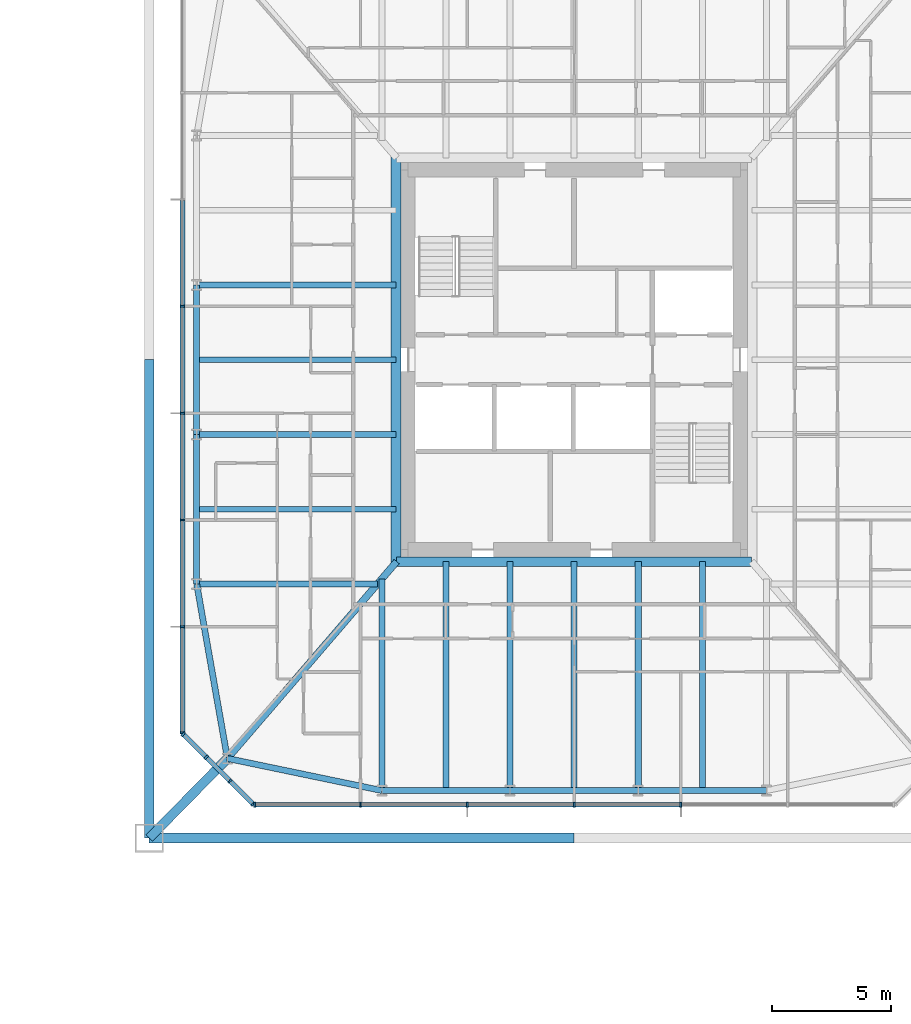
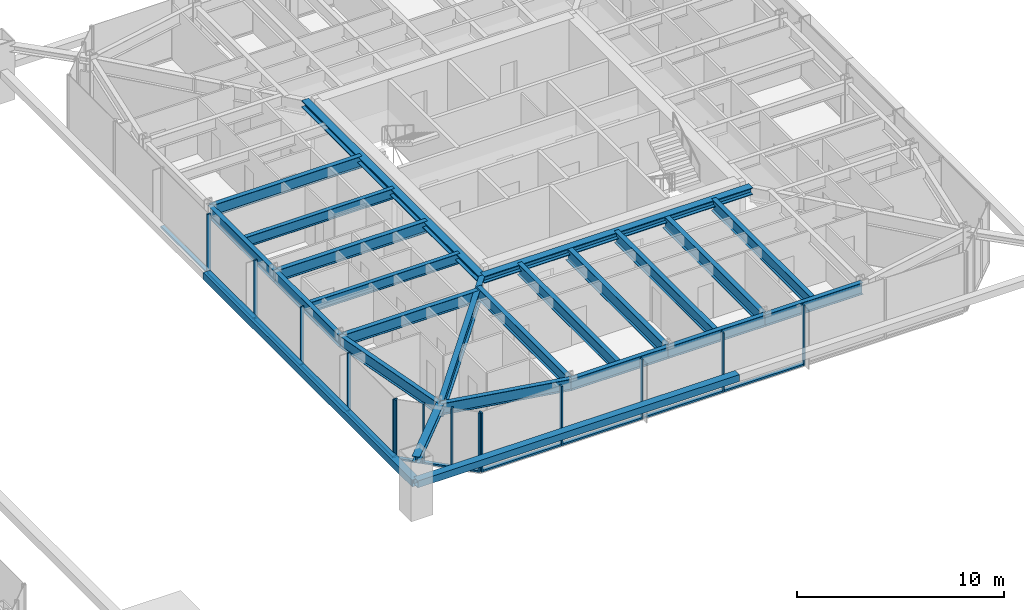
# One storey, part 9 of 27: 29 members, 21 beams, 3 elements without a shape of their own.
"""IFC4 building model written with IfcOpenShell, lengths in metres."""

from ifc_helpers import new_model, si_unit, direction, frame, origin, origin_2d, place, context, subcontext, project, spatial, rectangle, hollow_rectangle, i_section, extrude, material, material_profile, profile_set, type_object, element, aggregate, save


model = new_model("IFC4")

# Units and contexts
model_context = context("Model", 3, precision=1e-05, world=origin(), true_north=direction((0.0, 1.0)))
body_context = subcontext(model_context, "Body", "Model", "MODEL_VIEW")
ifc_project = project(units=[si_unit("LENGTHUNIT", "METRE"), si_unit("AREAUNIT", "SQUARE_METRE"), si_unit("VOLUMEUNIT", "CUBIC_METRE"), si_unit("PLANEANGLEUNIT", "RADIAN"), si_unit("MASSUNIT", "GRAM", prefix="KILO")], contexts=[model_context])

# Site, building, storey
site_placement = place(None, origin())
site = spatial("IfcSite", under=ifc_project, at=site_placement, CompositionType="ELEMENT")
building_placement = place(site_placement, origin())
building = spatial("IfcBuilding", under=site, at=building_placement, Name="Iwan Alto Co-Living Towers", CompositionType="ELEMENT")
storey_placement = place(building_placement, frame((0.0, 0.0, 53.5)))
storey = spatial("IfcBuildingStorey", under=building, at=storey_placement, Name="L14", CompositionType="ELEMENT", Elevation=53.5)

# Curtain wall, members
ifc_material_1 = material(Name="Bronze aluminium unitised frame", Category="aluminium")
curtain_wall_type_1 = type_object("IfcCurtainWallType", Name="CURTAIN WALL CW-C", PredefinedType="NOTDEFINED", material=ifc_material_1)
curtain_wall_1_placement = place(storey_placement, origin())
curtain_wall_1 = element("IfcCurtainWall", 1, at=curtain_wall_1_placement, inside=storey, type_object=curtain_wall_type_1, Name="T2 curtain wall S L14", PredefinedType="NOTDEFINED")
ifc_material_2 = material(Name="Aluminium 6063-T6 bronze anodised", Category="aluminium")
ifc_material_profile_1 = material_profile(ifc_material_2, rectangle(XDim=0.199951171875, YDim=0.080078125, at=origin_2d()), Name="AL 80X200")
ifc_profile_set_1 = profile_set([ifc_material_profile_1], Name="Aluminium 6063-T6 bronze anodised")
member_type_1 = type_object("IfcMemberType", Name="CW-C MULLION 80X200", PredefinedType="MULLION", material=ifc_profile_set_1)
member_1_placement = place(storey_placement, frame((49.5400390625, -18.75, 0.0), z_axis=(0.0, 0.0, 1.0), x_axis=(0.0, 1.0, 0.0)))
member_1 = element("IfcMember", 2, at=member_1_placement, type_object=member_type_1, Name="CW-C mullion 1", PredefinedType="MULLION", context=body_context, shape_type="SweptSolid", body=[
    extrude(rectangle(XDim=0.199951171875, YDim=0.080078125, at=origin_2d()), origin(), (0.0, 0.0, 1.0), 3.5),
])
member_2_placement = place(storey_placement, frame((54.0, -18.75, 0.0), z_axis=(0.0, 0.0, 1.0), x_axis=(0.0, 1.0, 0.0)))
member_2 = element("IfcMember", 3, at=member_2_placement, type_object=member_type_1, Name="CW-C mullion 2", PredefinedType="MULLION", context=body_context, shape_type="SweptSolid", body=[
    extrude(rectangle(XDim=0.199951171875, YDim=0.080078125, at=origin_2d()), origin(), (0.0, 0.0, 1.0), 3.5),
])
member_3_placement = place(storey_placement, frame((58.5, -18.75, 0.0), z_axis=(0.0, 0.0, 1.0), x_axis=(0.0, 1.0, 0.0)))
member_3 = element("IfcMember", 4, at=member_3_placement, type_object=member_type_1, Name="CW-C mullion 3", PredefinedType="MULLION", context=body_context, shape_type="SweptSolid", body=[
    extrude(rectangle(XDim=0.199951171875, YDim=0.080078125, at=origin_2d()), origin(), (0.0, 0.0, 1.0), 3.5),
])
member_4_placement = place(storey_placement, frame((63.0, -18.75, 0.0), z_axis=(0.0, 0.0, 1.0), x_axis=(0.0, 1.0, 0.0)))
member_4 = element("IfcMember", 5, at=member_4_placement, type_object=member_type_1, Name="CW-C mullion 4", PredefinedType="MULLION", context=body_context, shape_type="SweptSolid", body=[
    extrude(rectangle(XDim=0.199951171875, YDim=0.080078125, at=origin_2d()), origin(), (0.0, 0.0, 1.0), 3.5),
])
member_5_placement = place(storey_placement, frame((67.5, -18.75, 0.0), z_axis=(0.0, 0.0, 1.0), x_axis=(0.0, 1.0, 0.0)))
member_5 = element("IfcMember", 6, at=member_5_placement, type_object=member_type_1, Name="CW-C mullion 5", PredefinedType="MULLION", context=body_context, shape_type="SweptSolid", body=[
    extrude(rectangle(XDim=0.199951171875, YDim=0.080078125, at=origin_2d()), origin(), (0.0, 0.0, 1.0), 3.5),
])

curtain_wall_2_placement = place(storey_placement, origin())
curtain_wall_2 = element("IfcCurtainWall", 7, at=curtain_wall_2_placement, inside=storey, type_object=curtain_wall_type_1, Name="T2 curtain wall W L14", PredefinedType="NOTDEFINED")
member_6_placement = place(storey_placement, frame((46.5, 2.25, 0.0), z_axis=(0.0, 0.0, 1.0), x_axis=(1.0, 0.0, 0.0)))
member_6 = element("IfcMember", 8, at=member_6_placement, type_object=member_type_1, Name="CW-C mullion 4", PredefinedType="MULLION", context=body_context, shape_type="SweptSolid", body=[
    extrude(rectangle(XDim=0.199951171875, YDim=0.080078125, at=origin_2d()), origin(), (0.0, 0.0, 1.0), 3.5),
])
member_7_placement = place(storey_placement, frame((46.5, -2.25, 0.0), z_axis=(0.0, 0.0, 1.0), x_axis=(1.0, 0.0, 0.0)))
member_7 = element("IfcMember", 9, at=member_7_placement, type_object=member_type_1, Name="CW-C mullion 5", PredefinedType="MULLION", context=body_context, shape_type="SweptSolid", body=[
    extrude(rectangle(XDim=0.199951171875, YDim=0.080078125, at=origin_2d()), origin(), (0.0, 0.0, 1.0), 3.5),
])
member_8_placement = place(storey_placement, frame((46.5, -6.75, 0.0), z_axis=(0.0, 0.0, 1.0), x_axis=(1.0, 0.0, 0.0)))
member_8 = element("IfcMember", 10, at=member_8_placement, type_object=member_type_1, Name="CW-C mullion 6", PredefinedType="MULLION", context=body_context, shape_type="SweptSolid", body=[
    extrude(rectangle(XDim=0.199951171875, YDim=0.080078125, at=origin_2d()), origin(), (0.0, 0.0, 1.0), 3.5),
])
member_9_placement = place(storey_placement, frame((46.5, -11.25, 0.0), z_axis=(0.0, 0.0, 1.0), x_axis=(1.0, 0.0, 0.0)))
member_9 = element("IfcMember", 11, at=member_9_placement, type_object=member_type_1, Name="CW-C mullion 7", PredefinedType="MULLION", context=body_context, shape_type="SweptSolid", body=[
    extrude(rectangle(XDim=0.199951171875, YDim=0.080078125, at=origin_2d()), origin(), (0.0, 0.0, 1.0), 3.5),
])
member_10_placement = place(storey_placement, frame((46.5, -15.7099609375, 0.0), z_axis=(0.0, 0.0, 1.0), x_axis=(1.0, 0.0, 0.0)))
member_10 = element("IfcMember", 12, at=member_10_placement, type_object=member_type_1, Name="CW-C mullion 8", PredefinedType="MULLION", context=body_context, shape_type="SweptSolid", body=[
    extrude(rectangle(XDim=0.199951171875, YDim=0.080078125, at=origin_2d()), origin(), (0.0, 0.0, 1.0), 3.5),
])

# Member
ifc_material_3 = material(Name="Aluminium 6063-T6 bronze anodised", Category="aluminium")
ifc_material_profile_2 = material_profile(ifc_material_3, rectangle(XDim=0.199951171875, YDim=0.10009765625, at=origin_2d()), Name="AL 200X100")
ifc_profile_set_2 = profile_set([ifc_material_profile_2], Name="Aluminium 6063-T6 bronze anodised")
member_type_2 = type_object("IfcMemberType", Name="CW-C TRANSOM 200X100", PredefinedType="USERDEFINED", material=ifc_profile_set_2)
member_11_placement = place(storey_placement, frame((49.580078125, -18.75, 0.050048828125), z_axis=(1.0, 0.0, 0.0), x_axis=(0.0, 1.0, 0.0)))
member_11 = element("IfcMember", 13, at=member_11_placement, type_object=member_type_2, Name="CW-C transom 1.1", ObjectType="TRANSOM", PredefinedType="USERDEFINED", context=body_context, shape_type="SweptSolid", body=[
    extrude(rectangle(XDim=0.199951171875, YDim=0.10009765625, at=origin_2d()), origin(), (0.0, 0.0, 1.0), 4.3798828125),
])

member_12_placement = place(storey_placement, frame((54.0400390625, -18.75, 0.050048828125), z_axis=(1.0, 0.0, 0.0), x_axis=(0.0, 1.0, 0.0)))
member_12 = element("IfcMember", 14, at=member_12_placement, type_object=member_type_2, Name="CW-C transom 2.1", ObjectType="TRANSOM", PredefinedType="USERDEFINED", context=body_context, shape_type="SweptSolid", body=[
    extrude(rectangle(XDim=0.199951171875, YDim=0.10009765625, at=origin_2d()), origin(), (0.0, 0.0, 1.0), 4.419921875),
])

member_13_placement = place(storey_placement, frame((58.5400390625, -18.75, 0.050048828125), z_axis=(1.0, 0.0, 0.0), x_axis=(0.0, 1.0, 0.0)))
member_13 = element("IfcMember", 15, at=member_13_placement, type_object=member_type_2, Name="CW-C transom 3.1", ObjectType="TRANSOM", PredefinedType="USERDEFINED", context=body_context, shape_type="SweptSolid", body=[
    extrude(rectangle(XDim=0.199951171875, YDim=0.10009765625, at=origin_2d()), origin(), (0.0, 0.0, 1.0), 4.419921875),
])

member_14_placement = place(storey_placement, frame((63.0400390625, -18.75, 0.050048828125), z_axis=(1.0, 0.0, 0.0), x_axis=(0.0, 1.0, 0.0)))
member_14 = element("IfcMember", 16, at=member_14_placement, type_object=member_type_2, Name="CW-C transom 4.1", ObjectType="TRANSOM", PredefinedType="USERDEFINED", context=body_context, shape_type="SweptSolid", body=[
    extrude(rectangle(XDim=0.199951171875, YDim=0.10009765625, at=origin_2d()), origin(), (0.0, 0.0, 1.0), 4.419921875),
])

aggregate(curtain_wall_1, [member_1, member_2, member_3, member_4, member_5, member_11, member_12, member_13, member_14])

member_15_placement = place(storey_placement, frame((46.5, 6.7099609375, 0.050048828125), z_axis=(0.0, -1.0, 0.0), x_axis=(1.0, 0.0, 0.0)))
member_15 = element("IfcMember", 17, at=member_15_placement, type_object=member_type_2, Name="CW-C transom 3.1", ObjectType="TRANSOM", PredefinedType="USERDEFINED", context=body_context, shape_type="SweptSolid", body=[
    extrude(rectangle(XDim=0.199951171875, YDim=0.10009765625, at=origin_2d()), origin(), (0.0, 0.0, 1.0), 4.419921875),
])

member_16_placement = place(storey_placement, frame((46.5, 2.2099609375, 0.050048828125), z_axis=(0.0, -1.0, 0.0), x_axis=(1.0, 0.0, 0.0)))
member_16 = element("IfcMember", 18, at=member_16_placement, type_object=member_type_2, Name="CW-C transom 4.1", ObjectType="TRANSOM", PredefinedType="USERDEFINED", context=body_context, shape_type="SweptSolid", body=[
    extrude(rectangle(XDim=0.199951171875, YDim=0.10009765625, at=origin_2d()), origin(), (0.0, 0.0, 1.0), 4.419921875),
])

member_17_placement = place(storey_placement, frame((46.5, -2.2900390625, 0.050048828125), z_axis=(0.0, -1.0, 0.0), x_axis=(1.0, 0.0, 0.0)))
member_17 = element("IfcMember", 19, at=member_17_placement, type_object=member_type_2, Name="CW-C transom 5.1", ObjectType="TRANSOM", PredefinedType="USERDEFINED", context=body_context, shape_type="SweptSolid", body=[
    extrude(rectangle(XDim=0.199951171875, YDim=0.10009765625, at=origin_2d()), origin(), (0.0, 0.0, 1.0), 4.419921875),
])

member_18_placement = place(storey_placement, frame((46.5, -6.7900390625, 0.050048828125), z_axis=(0.0, -1.0, 0.0), x_axis=(1.0, 0.0, 0.0)))
member_18 = element("IfcMember", 20, at=member_18_placement, type_object=member_type_2, Name="CW-C transom 6.1", ObjectType="TRANSOM", PredefinedType="USERDEFINED", context=body_context, shape_type="SweptSolid", body=[
    extrude(rectangle(XDim=0.199951171875, YDim=0.10009765625, at=origin_2d()), origin(), (0.0, 0.0, 1.0), 4.419921875),
])

member_19_placement = place(storey_placement, frame((46.5, -11.2900390625, 0.050048828125), z_axis=(0.0, -1.0, 0.0), x_axis=(1.0, 0.0, 0.0)))
member_19 = element("IfcMember", 21, at=member_19_placement, type_object=member_type_2, Name="CW-C transom 7.1", ObjectType="TRANSOM", PredefinedType="USERDEFINED", context=body_context, shape_type="SweptSolid", body=[
    extrude(rectangle(XDim=0.199951171875, YDim=0.10009765625, at=origin_2d()), origin(), (0.0, 0.0, 1.0), 4.3798828125),
])

aggregate(curtain_wall_2, [member_6, member_7, member_8, member_9, member_10, member_15, member_16, member_17, member_18, member_19])

# Curtain wall, members
ifc_material_4 = material(Name="Bronze aluminium unitised frame", Category="aluminium")
curtain_wall_type_2 = type_object("IfcCurtainWallType", Name="CURTAIN WALL CW-D", PredefinedType="NOTDEFINED", material=ifc_material_4)
curtain_wall_3_placement = place(storey_placement, origin())
curtain_wall_3 = element("IfcCurtainWall", 22, at=curtain_wall_3_placement, inside=storey, type_object=curtain_wall_type_2, Name="T2 chamfer curtain wall SW L14", PredefinedType="NOTDEFINED")
ifc_material_5 = material(Name="Aluminium 6063-T6 bronze anodised", Category="aluminium")
ifc_material_profile_3 = material_profile(ifc_material_5, rectangle(XDim=0.199951171875, YDim=0.080078125, at=origin_2d()), Name="AL 80X200")
ifc_profile_set_3 = profile_set([ifc_material_profile_3], Name="Aluminium 6063-T6 bronze anodised")
member_type_3 = type_object("IfcMemberType", Name="CW-D MULLION 80X200", PredefinedType="MULLION", material=ifc_profile_set_3)
member_20_placement = place(storey_placement, frame((46.5283203125, -15.7783203125, 0.0), z_axis=(0.0, 0.0, 1.0), x_axis=(0.707106781187, 0.707106781187, 0.0)))
member_20 = element("IfcMember", 23, at=member_20_placement, type_object=member_type_3, Name="CW-D mullion 1", PredefinedType="MULLION", context=body_context, shape_type="SweptSolid", body=[
    extrude(rectangle(XDim=0.199951171875, YDim=0.080078125, at=origin_2d()), origin(), (0.0, 0.0, 1.0), 3.5),
])
member_21_placement = place(storey_placement, frame((47.5, -16.75, 0.0), z_axis=(0.0, 0.0, 1.0), x_axis=(0.707106781187, 0.707106781187, 0.0)))
member_21 = element("IfcMember", 24, at=member_21_placement, type_object=member_type_3, Name="CW-D mullion 2", PredefinedType="MULLION", context=body_context, shape_type="SweptSolid", body=[
    extrude(rectangle(XDim=0.199951171875, YDim=0.080078125, at=origin_2d()), origin(), (0.0, 0.0, 1.0), 3.5),
])
member_22_placement = place(storey_placement, frame((48.5, -17.75, 0.0), z_axis=(0.0, 0.0, 1.0), x_axis=(0.707106781187, 0.707106781187, 0.0)))
member_22 = element("IfcMember", 25, at=member_22_placement, type_object=member_type_3, Name="CW-D mullion 3", PredefinedType="MULLION", context=body_context, shape_type="SweptSolid", body=[
    extrude(rectangle(XDim=0.199951171875, YDim=0.080078125, at=origin_2d()), origin(), (0.0, 0.0, 1.0), 3.5),
])
member_23_placement = place(storey_placement, frame((49.4716796875, -18.7216796875, 0.0), z_axis=(0.0, 0.0, 1.0), x_axis=(0.707106781187, 0.707106781187, 0.0)))
member_23 = element("IfcMember", 26, at=member_23_placement, type_object=member_type_3, Name="CW-D mullion 4", PredefinedType="MULLION", context=body_context, shape_type="SweptSolid", body=[
    extrude(rectangle(XDim=0.199951171875, YDim=0.080078125, at=origin_2d()), origin(), (0.0, 0.0, 1.0), 3.5),
])
ifc_material_6 = material(Name="Aluminium 6063-T6 bronze anodised", Category="aluminium")
ifc_material_profile_4 = material_profile(ifc_material_6, rectangle(XDim=0.199951171875, YDim=0.10009765625, at=origin_2d()), Name="AL 200X100")
ifc_profile_set_4 = profile_set([ifc_material_profile_4], Name="Aluminium 6063-T6 bronze anodised")
member_type_4 = type_object("IfcMemberType", Name="CW-D TRANSOM 200X100", PredefinedType="USERDEFINED", material=ifc_profile_set_4)
member_24_placement = place(storey_placement, frame((46.556640625, -15.806640625, 0.050048828125), z_axis=(0.707106781187, -0.707106781187, 0.0), x_axis=(0.707106781187, 0.707106781187, 0.0)))
member_24 = element("IfcMember", 27, at=member_24_placement, type_object=member_type_4, Name="CW-D transom 1.1", ObjectType="TRANSOM", PredefinedType="USERDEFINED", context=body_context, shape_type="SweptSolid", body=[
    extrude(rectangle(XDim=0.199951171875, YDim=0.10009765625, at=origin_2d()), origin(), (0.0, 0.0, 1.0), 1.2939453125),
])
member_25_placement = place(storey_placement, frame((47.5283203125, -16.7783203125, 0.050048828125), z_axis=(0.707106781187, -0.707106781187, 0.0), x_axis=(0.707106781187, 0.707106781187, 0.0)))
member_25 = element("IfcMember", 28, at=member_25_placement, type_object=member_type_4, Name="CW-D transom 2.1", ObjectType="TRANSOM", PredefinedType="USERDEFINED", context=body_context, shape_type="SweptSolid", body=[
    extrude(rectangle(XDim=0.199951171875, YDim=0.10009765625, at=origin_2d()), origin(), (0.0, 0.0, 1.0), 1.334228515625),
])
member_26_placement = place(storey_placement, frame((48.5283203125, -17.7783203125, 0.050048828125), z_axis=(0.707106781187, -0.707106781187, 0.0), x_axis=(0.707106781187, 0.707106781187, 0.0)))
member_26 = element("IfcMember", 29, at=member_26_placement, type_object=member_type_4, Name="CW-D transom 3.1", ObjectType="TRANSOM", PredefinedType="USERDEFINED", context=body_context, shape_type="SweptSolid", body=[
    extrude(rectangle(XDim=0.199951171875, YDim=0.10009765625, at=origin_2d()), origin(), (0.0, 0.0, 1.0), 1.2939453125),
])
aggregate(curtain_wall_3, [member_20, member_21, member_22, member_23, member_24, member_25, member_26])

# Beams
ifc_material_7 = material(Name="Steel ASTM A992 Gr 50", Category="steel")
ifc_material_profile_5 = material_profile(ifc_material_7, i_section(OverallWidth=0.40380859375, OverallDepth=0.406494140625, WebThickness=0.027099609375, FlangeThickness=0.043701171875, at=origin_2d()), Name="W14X233")
ifc_profile_set_5 = profile_set([ifc_material_profile_5], Name="Steel ASTM A992 Gr 50")
beam_type_1 = type_object("IfcBeamType", Name="T2 CORE LEDGER BEAM W14X233", PredefinedType="BEAM", material=ifc_profile_set_5)
beam_1_placement = place(storey_placement, frame((55.5263671875, -8.501953125, 3.06689453125), z_axis=(1.0, 0.0, 0.0), x_axis=(0.0, 1.0, 0.0)))
element("IfcBeam", 30, at=beam_1_placement, inside=storey, type_object=beam_type_1, Name="T2 core ledger beam S L15", PredefinedType="BEAM", context=body_context, shape_type="SweptSolid", body=[
    extrude(i_section(OverallWidth=0.40380859375, OverallDepth=0.406494140625, WebThickness=0.027099609375, FlangeThickness=0.043701171875, at=origin_2d()), origin(), (0.0, 0.0, 1.0), 14.947265625),
])
beam_2_placement = place(storey_placement, frame((55.498046875, 8.534912109375, 3.06689453125), z_axis=(0.0, -1.0, 0.0), x_axis=(1.0, 0.0, 0.0)))
element("IfcBeam", 31, at=beam_2_placement, inside=storey, type_object=beam_type_1, Name="T2 core ledger beam W L15", PredefinedType="BEAM", context=body_context, shape_type="SweptSolid", body=[
    extrude(i_section(OverallWidth=0.40380859375, OverallDepth=0.406494140625, WebThickness=0.027099609375, FlangeThickness=0.043701171875, at=origin_2d()), origin(), (0.0, 0.0, 1.0), 17.06982421875),
])
ifc_material_8 = material(Name="Steel ASTM A992 Gr 50", Category="steel")
ifc_material_profile_6 = material_profile(ifc_material_8, i_section(OverallWidth=0.2919921875, OverallDepth=0.8408203125, WebThickness=0.0146484375, FlangeThickness=0.021728515625, at=origin_2d()), Name="W33X130")
ifc_profile_set_6 = profile_set([ifc_material_profile_6], Name="Steel ASTM A992 Gr 50")
beam_type_2 = type_object("IfcBeamType", Name="T2 CORNER GIRDER W33X130", PredefinedType="BEAM", material=ifc_profile_set_6)
beam_3_placement = place(storey_placement, frame((48.393798828125, -16.797119140625, 2.849609375), z_axis=(0.651972301827, 0.758242782788, 0.0), x_axis=(-0.758242782788, 0.651972301827, 0.0)))
element("IfcBeam", 32, at=beam_3_placement, inside=storey, type_object=beam_type_2, Name="T2 corner girder CSW L15", PredefinedType="BEAM", context=body_context, shape_type="SweptSolid", body=[
    extrude(i_section(OverallWidth=0.2919921875, OverallDepth=0.8408203125, WebThickness=0.0146484375, FlangeThickness=0.021728515625, at=origin_2d()), origin(), (0.0, 0.0, 1.0), 10.93994140625),
])
ifc_material_9 = material(Name="Steel ASTM A992 Gr 50", Category="steel")
ifc_material_profile_7 = material_profile(ifc_material_9, i_section(OverallWidth=0.25390625, OverallDepth=0.683349609375, WebThickness=0.012451171875, FlangeThickness=0.018798828125, at=origin_2d()), Name="W27X94")
ifc_profile_set_7 = profile_set([ifc_material_profile_7], Name="Steel ASTM A992 Gr 50")
beam_type_3 = type_object("IfcBeamType", Name="T2 EDGE BEAM W27X94", PredefinedType="BEAM", material=ifc_profile_set_7)
beam_4_placement = place(storey_placement, frame((48.393798828125, -16.797119140625, 2.928466796875), z_axis=(0.979060119423, -0.203571320564, 0.0), x_axis=(0.203571320564, 0.979060119423, 0.0)))
element("IfcBeam", 33, at=beam_4_placement, inside=storey, type_object=beam_type_3, Name="T2 edge beam CSW L15", PredefinedType="BEAM", context=body_context, shape_type="SweptSolid", body=[
    extrude(i_section(OverallWidth=0.25390625, OverallDepth=0.683349609375, WebThickness=0.012451171875, FlangeThickness=0.018798828125, at=origin_2d()), origin(), (0.0, 0.0, 1.0), 6.645263671875),
])
beam_5_placement = place(storey_placement, frame((54.89990234375, -18.14990234375, 2.928466796875), z_axis=(1.0, 0.0, 0.0), x_axis=(0.0, 1.0, 0.0)))
element("IfcBeam", 34, at=beam_5_placement, inside=storey, type_object=beam_type_3, Name="T2 edge beam S1 L15", PredefinedType="BEAM", context=body_context, shape_type="SweptSolid", body=[
    extrude(i_section(OverallWidth=0.25390625, OverallDepth=0.683349609375, WebThickness=0.012451171875, FlangeThickness=0.018798828125, at=origin_2d()), origin(), (0.0, 0.0, 1.0), 5.400146484375),
])
beam_6_placement = place(storey_placement, frame((60.300048828125, -18.14990234375, 2.928466796875), z_axis=(1.0, 0.0, 0.0), x_axis=(0.0, 1.0, 0.0)))
element("IfcBeam", 35, at=beam_6_placement, inside=storey, type_object=beam_type_3, Name="T2 edge beam S2 L15", PredefinedType="BEAM", context=body_context, shape_type="SweptSolid", body=[
    extrude(i_section(OverallWidth=0.25390625, OverallDepth=0.683349609375, WebThickness=0.012451171875, FlangeThickness=0.018798828125, at=origin_2d()), origin(), (0.0, 0.0, 1.0), 5.39990234375),
])
beam_7_placement = place(storey_placement, frame((65.699951171875, -18.14990234375, 2.928466796875), z_axis=(1.0, 0.0, 0.0), x_axis=(0.0, 1.0, 0.0)))
element("IfcBeam", 36, at=beam_7_placement, inside=storey, type_object=beam_type_3, Name="T2 edge beam S3 L15", PredefinedType="BEAM", context=body_context, shape_type="SweptSolid", body=[
    extrude(i_section(OverallWidth=0.25390625, OverallDepth=0.683349609375, WebThickness=0.012451171875, FlangeThickness=0.018798828125, at=origin_2d()), origin(), (0.0, 0.0, 1.0), 5.400146484375),
])
beam_8_placement = place(storey_placement, frame((47.10009765625, 3.14990234375, 2.928466796875), z_axis=(0.0, -1.0, 0.0), x_axis=(1.0, 0.0, 0.0)))
element("IfcBeam", 37, at=beam_8_placement, inside=storey, type_object=beam_type_3, Name="T2 edge beam W2 L15", PredefinedType="BEAM", context=body_context, shape_type="SweptSolid", body=[
    extrude(i_section(OverallWidth=0.25390625, OverallDepth=0.683349609375, WebThickness=0.012451171875, FlangeThickness=0.018798828125, at=origin_2d()), origin(), (0.0, 0.0, 1.0), 6.2998046875),
])
beam_9_placement = place(storey_placement, frame((47.10009765625, -3.14990234375, 2.928466796875), z_axis=(0.0, -1.0, 0.0), x_axis=(1.0, 0.0, 0.0)))
element("IfcBeam", 38, at=beam_9_placement, inside=storey, type_object=beam_type_3, Name="T2 edge beam W3 L15", PredefinedType="BEAM", context=body_context, shape_type="SweptSolid", body=[
    extrude(i_section(OverallWidth=0.25390625, OverallDepth=0.683349609375, WebThickness=0.012451171875, FlangeThickness=0.018798828125, at=origin_2d()), origin(), (0.0, 0.0, 1.0), 6.300048828125),
])
beam_10_placement = place(storey_placement, frame((47.10009765625, -9.449951171875, 2.928466796875), z_axis=(0.173413807283, -0.98484905008, 0.0), x_axis=(0.98484905008, 0.173413807283, 0.0)))
element("IfcBeam", 39, at=beam_10_placement, inside=storey, type_object=beam_type_3, Name="T2 edge beam W4 L15", PredefinedType="BEAM", context=body_context, shape_type="SweptSolid", body=[
    extrude(i_section(OverallWidth=0.25390625, OverallDepth=0.683349609375, WebThickness=0.012451171875, FlangeThickness=0.018798828125, at=origin_2d()), origin(), (0.0, 0.0, 1.0), 7.460205078125),
])

# Members
ifc_material_10 = material(Name="Steel ASTM A992 Gr 50", Category="steel")
ifc_material_profile_8 = material_profile(ifc_material_10, i_section(OverallWidth=0.393798828125, OverallDepth=0.3759765625, WebThickness=0.017333984375, FlangeThickness=0.027587890625, at=origin_2d()), Name="W14X145")
ifc_profile_set_8 = profile_set([ifc_material_profile_8], Name="Steel ASTM A992 Gr 50")
member_type_5 = type_object("IfcMemberType", Name="T2 MEGA COLUMN FLOOR TIE W14X145", PredefinedType="STRUT", material=ifc_profile_set_8)
member_27_placement = place(storey_placement, frame((45.10009765625, -20.14990234375, 3.08203125), z_axis=(0.700793469544, 0.71336422187, 0.0), x_axis=(-0.71336422187, 0.700793469544, 0.0)))
element("IfcMember", 40, at=member_27_placement, inside=storey, type_object=member_type_5, Name="T2 mega column floor tie SW L15", PredefinedType="STRUT", context=body_context, shape_type="SweptSolid", body=[
    extrude(i_section(OverallWidth=0.393798828125, OverallDepth=0.3759765625, WebThickness=0.017333984375, FlangeThickness=0.027587890625, at=origin_2d()), origin(), (0.0, 0.0, 1.0), 4.699951171875),
])
ifc_material_11 = material(Name="Steel ASTM A500 Gr C", Category="steel")
ifc_material_profile_9 = material_profile(ifc_material_11, hollow_rectangle(XDim=0.406494140625, YDim=0.406494140625, WallThickness=0.0146484375, at=origin_2d()), Name="HSS16X16X5/8")
ifc_profile_set_9 = profile_set([ifc_material_profile_9], Name="Steel ASTM A500 Gr C")
member_type_6 = type_object("IfcMemberType", Name="T2 MEGA TIE HSS16X16X5/8", PredefinedType="STRUT", material=ifc_profile_set_9)
member_28_placement = place(storey_placement, frame((45.10009765625, -20.14990234375, 1.75), z_axis=(1.0, 0.0, 0.0), x_axis=(0.0, 1.0, 0.0)))
element("IfcMember", 41, at=member_28_placement, inside=storey, type_object=member_type_6, Name="T2 mega tie Z1B S 1", PredefinedType="STRUT", context=body_context, shape_type="SweptSolid", body=[
    extrude(hollow_rectangle(XDim=0.406494140625, YDim=0.406494140625, WallThickness=0.0146484375, at=origin_2d()), origin(), (0.0, 0.0, 1.0), 17.89990234375),
])
member_29_placement = place(storey_placement, frame((45.10009765625, 0.0, 1.75), z_axis=(0.0, -1.0, 0.0), x_axis=(1.0, 0.0, 0.0)))
element("IfcMember", 42, at=member_29_placement, inside=storey, type_object=member_type_6, Name="T2 mega tie Z1B W 2", PredefinedType="STRUT", context=body_context, shape_type="SweptSolid", body=[
    extrude(hollow_rectangle(XDim=0.406494140625, YDim=0.406494140625, WallThickness=0.0146484375, at=origin_2d()), origin(), (0.0, 0.0, 1.0), 20.14990234375),
])

# Beams
ifc_material_12 = material(Name="Steel ASTM A992 Gr 50", Category="steel")
ifc_material_profile_10 = material_profile(ifc_material_12, i_section(OverallWidth=0.25390625, OverallDepth=0.683349609375, WebThickness=0.012451171875, FlangeThickness=0.018798828125, at=origin_2d()), Name="W27X94")
ifc_profile_set_10 = profile_set([ifc_material_profile_10], Name="Steel ASTM A992 Gr 50")
beam_type_4 = type_object("IfcBeamType", Name="T2 RADIAL BEAM W27X94", PredefinedType="BEAM", material=ifc_profile_set_10)
beam_11_placement = place(storey_placement, frame((54.89990234375, -18.14990234375, 2.928466796875), z_axis=(0.0, 1.0, 0.0), x_axis=(-1.0, 0.0, 0.0)))
element("IfcBeam", 43, at=beam_11_placement, inside=storey, type_object=beam_type_4, Name="T2 radial beam S1 L15", PredefinedType="BEAM", context=body_context, shape_type="SweptSolid", body=[
    extrude(i_section(OverallWidth=0.25390625, OverallDepth=0.683349609375, WebThickness=0.012451171875, FlangeThickness=0.018798828125, at=origin_2d()), origin(), (0.0, 0.0, 1.0), 8.91943359375),
])
for number, where, z_axis, x_axis, name in (
    (44, (47.10009765625, 3.14990234375, 2.928466796875), (1.0, 0.0, 0.0), (0.0, 1.0, 0.0), "T2 radial beam W2 L15"),
    (45, (47.10009765625, -3.14990234375, 2.928466796875), (1.0, 0.0, 0.0), (0.0, 1.0, 0.0), "T2 radial beam W3 L15"),
):
    element("IfcBeam", number, at=place(storey_placement, frame(where, z_axis=z_axis, x_axis=x_axis)), inside=storey, type_object=beam_type_4, Name=name, PredefinedType="BEAM", context=body_context, shape_type="SweptSolid", body=[
        extrude(i_section(OverallWidth=0.25390625, OverallDepth=0.683349609375, WebThickness=0.012451171875, FlangeThickness=0.018798828125, at=origin_2d()), origin(), (0.0, 0.0, 1.0), 8.39794921875),
    ])
beam_12_placement = place(storey_placement, frame((47.10009765625, -9.449951171875, 2.928466796875), z_axis=(1.0, 0.0, 0.0), x_axis=(0.0, 1.0, 0.0)))
element("IfcBeam", 46, at=beam_12_placement, inside=storey, type_object=beam_type_4, Name="T2 radial beam W4 L15", PredefinedType="BEAM", context=body_context, shape_type="SweptSolid", body=[
    extrude(i_section(OverallWidth=0.25390625, OverallDepth=0.683349609375, WebThickness=0.012451171875, FlangeThickness=0.018798828125, at=origin_2d()), origin(), (0.0, 0.0, 1.0), 7.611083984375),
])
ifc_material_13 = material(Name="Steel ASTM A992 Gr 50", Category="steel")
ifc_material_profile_11 = material_profile(ifc_material_13, i_section(OverallWidth=0.2666015625, OverallDepth=0.761962890625, WebThickness=0.014404296875, FlangeThickness=0.021484375, at=origin_2d()), Name="W30X116")
ifc_profile_set_11 = profile_set([ifc_material_profile_11], Name="Steel ASTM A992 Gr 50")
beam_type_5 = type_object("IfcBeamType", Name="T2 RADIAL BEAM W30X116", PredefinedType="BEAM", material=ifc_profile_set_11)
for number, where, z_axis, x_axis, name in (
    (47, (60.300048828125, -18.14990234375, 2.888916015625), (0.0, 1.0, 0.0), (-1.0, 0.0, 0.0), "T2 radial beam S2 L15"),
    (48, (65.699951171875, -18.14990234375, 2.888916015625), (0.0, 1.0, 0.0), (-1.0, 0.0, 0.0), "T2 radial beam S3 L15"),
):
    element("IfcBeam", number, at=place(storey_placement, frame(where, z_axis=z_axis, x_axis=x_axis)), inside=storey, type_object=beam_type_5, Name=name, PredefinedType="BEAM", context=body_context, shape_type="SweptSolid", body=[
        extrude(i_section(OverallWidth=0.2666015625, OverallDepth=0.761962890625, WebThickness=0.014404296875, FlangeThickness=0.021484375, at=origin_2d()), origin(), (0.0, 0.0, 1.0), 9.64794921875),
    ])
ifc_material_14 = material(Name="Steel ASTM A992 Gr 50", Category="steel")
ifc_material_profile_12 = material_profile(ifc_material_14, i_section(OverallWidth=0.228271484375, OverallDepth=0.607177734375, WebThickness=0.01123046875, FlangeThickness=0.017333984375, at=origin_2d()), Name="W24X76")
ifc_profile_set_12 = profile_set([ifc_material_profile_12], Name="Steel ASTM A992 Gr 50")
beam_type_6 = type_object("IfcBeamType", Name="T2 SECONDARY BEAM W24X76", PredefinedType="JOIST", material=ifc_profile_set_12)
for number, where, z_axis, x_axis, name in (
    (49, (47.10009765625, 0.0, 2.966552734375), (1.0, 0.0, 0.0), (0.0, 1.0, 0.0), "T2 secondary beam W2 L15"),
    (50, (47.10009765625, -6.300048828125, 2.966552734375), (1.0, 0.0, 0.0), (0.0, 1.0, 0.0), "T2 secondary beam W3 L15"),
):
    element("IfcBeam", number, at=place(storey_placement, frame(where, z_axis=z_axis, x_axis=x_axis)), inside=storey, type_object=beam_type_6, Name=name, PredefinedType="JOIST", context=body_context, shape_type="SweptSolid", body=[
        extrude(i_section(OverallWidth=0.228271484375, OverallDepth=0.607177734375, WebThickness=0.01123046875, FlangeThickness=0.017333984375, at=origin_2d()), origin(), (0.0, 0.0, 1.0), 8.39794921875),
    ])
ifc_material_15 = material(Name="Steel ASTM A992 Gr 50", Category="steel")
ifc_material_profile_13 = material_profile(ifc_material_15, i_section(OverallWidth=0.25390625, OverallDepth=0.683349609375, WebThickness=0.012451171875, FlangeThickness=0.018798828125, at=origin_2d()), Name="W27X94")
ifc_profile_set_13 = profile_set([ifc_material_profile_13], Name="Steel ASTM A992 Gr 50")
beam_type_7 = type_object("IfcBeamType", Name="T2 SECONDARY BEAM W27X94", PredefinedType="JOIST", material=ifc_profile_set_13)
for number, where, z_axis, x_axis, name in (
    (51, (57.60009765625, -18.14990234375, 2.928466796875), (0.0, 1.0, 0.0), (-1.0, 0.0, 0.0), "T2 secondary beam S1 L15"),
    (52, (63.0, -18.14990234375, 2.928466796875), (0.0, 1.0, 0.0), (-1.0, 0.0, 0.0), "T2 secondary beam S2 L15"),
    (53, (68.39990234375, -18.14990234375, 2.928466796875), (0.0, 1.0, 0.0), (-1.0, 0.0, 0.0), "T2 secondary beam S3 L15"),
):
    element("IfcBeam", number, at=place(storey_placement, frame(where, z_axis=z_axis, x_axis=x_axis)), inside=storey, type_object=beam_type_7, Name=name, PredefinedType="JOIST", context=body_context, shape_type="SweptSolid", body=[
        extrude(i_section(OverallWidth=0.25390625, OverallDepth=0.683349609375, WebThickness=0.012451171875, FlangeThickness=0.018798828125, at=origin_2d()), origin(), (0.0, 0.0, 1.0), 9.64794921875),
    ])

save(model, "model.ifc")
